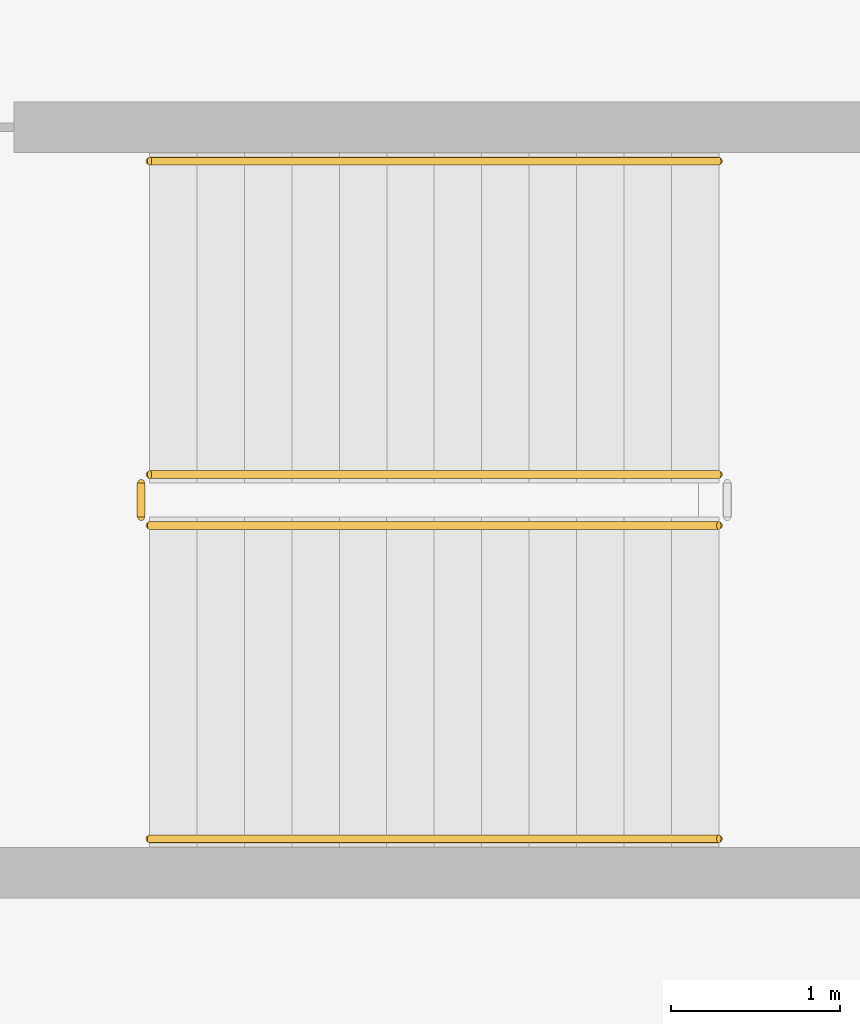
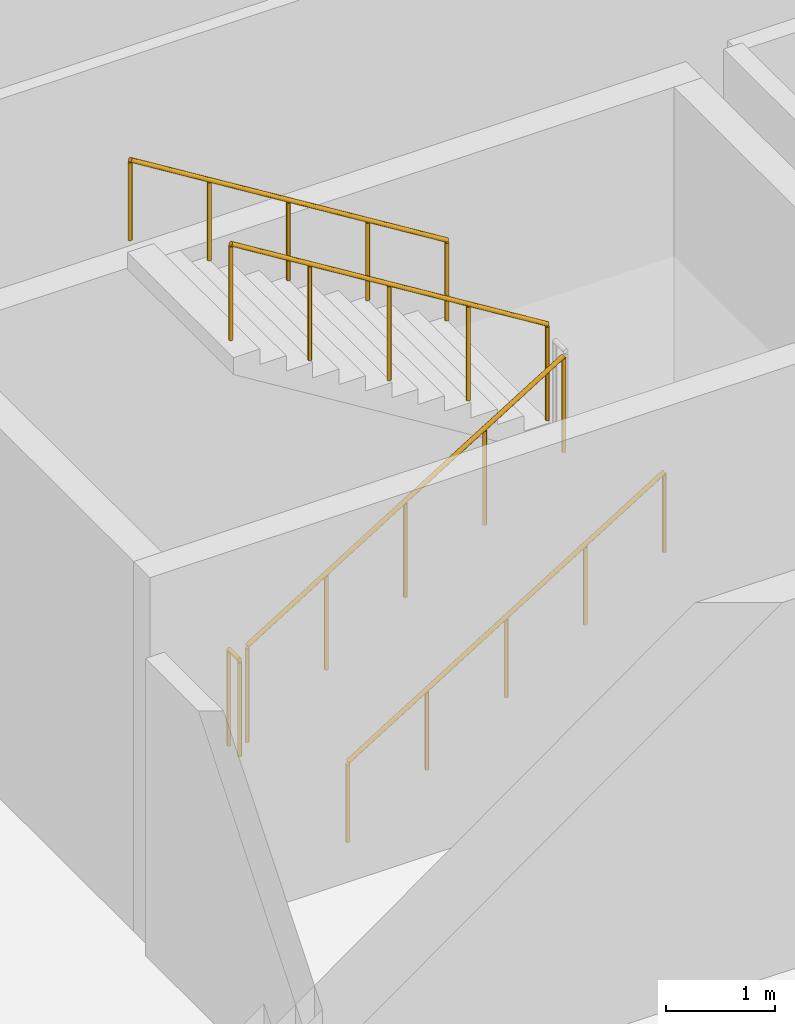
# One storey, part 28 of 36: 5 railings.
"""IFC4 building model written with IfcOpenShell, lengths in metres."""

from ifc_helpers import new_model, si_unit, direction, frame, origin, origin_2d, place, context, subcontext, project, spatial, circle, extrude, material, layer, layer_set, type_object, element, save


model = new_model("IFC4")

# Units and contexts
model_context = context("Model", 3, precision=1e-05, world=origin(), true_north=direction((0.0, 1.0)))
body_context = subcontext(model_context, "Body", "Model", "MODEL_VIEW")
ifc_project = project(units=[si_unit("LENGTHUNIT", "METRE"), si_unit("AREAUNIT", "SQUARE_METRE"), si_unit("VOLUMEUNIT", "CUBIC_METRE"), si_unit("PLANEANGLEUNIT", "RADIAN"), si_unit("MASSUNIT", "GRAM", prefix="KILO")], contexts=[model_context])

# Site, building, storey
site_placement = place(None, origin())
site = spatial("IfcSite", under=ifc_project, at=site_placement, CompositionType="ELEMENT")
building_placement = place(site_placement, origin())
building = spatial("IfcBuilding", under=site, at=building_placement, Name="Chiffa Square Polytechnic", CompositionType="ELEMENT")
storey_placement = place(building_placement, frame((0.0, 0.0, -4.5)))
storey = spatial("IfcBuildingStorey", under=building, at=storey_placement, Name="B1", CompositionType="ELEMENT", Elevation=-4.5)

# Railings
ifc_material = material(Name="Steel S355", Category="steel")
ifc_layer_1 = layer(ifc_material, 0.050048828125, Name="Steel S355")
ifc_layer_set_1 = layer_set([ifc_layer_1], Name="Steel S355")
railing_type_1 = type_object("IfcRailingType", Name="RL-STAIR-GUARD", PredefinedType="GUARDRAIL", material=ifc_layer_set_1)
railing_1_placement = place(storey_placement, frame((124.199951171875, 19.64990234375, 0.173095703125)))
element("IfcRailing", 1, at=railing_1_placement, inside=storey, type_object=railing_type_1, Name="B1 ST-V1A stair guard 1", PredefinedType="GUARDRAIL", context=body_context, shape_type="SweptSolid", body=[
    extrude(circle(Radius=0.02392578125, at=origin_2d()), frame((0.0, 0.0, 1.076171875), z_axis=(0.850623216509, 0.0, 0.525775754039), x_axis=(0.0, 1.0, 0.0)), (0.0, 0.0, 1.0), 3.9501953125),
    extrude(circle(Radius=0.02099609375, at=origin_2d()), origin(), (0.0, 0.0, 1.0), 1.052001953125),
    extrude(circle(Radius=0.02099609375, at=origin_2d()), frame((0.840087890625, 0.0, 0.519287109375)), (0.0, 0.0, 1.0), 1.052001953125),
    extrude(circle(Radius=0.02099609375, at=origin_2d()), frame((1.68017578125, 0.0, 1.03857421875)), (0.0, 0.0, 1.0), 1.052001953125),
    extrude(circle(Radius=0.02099609375, at=origin_2d()), frame((2.52001953125, 0.0, 1.5576171875)), (0.0, 0.0, 1.0), 1.052001953125),
    extrude(circle(Radius=0.02099609375, at=origin_2d()), frame((3.360107421875, 0.0, 2.076904296875)), (0.0, 0.0, 1.0), 1.052001953125),
])
railing_2_placement = place(storey_placement, frame((127.56005859375, 19.949951171875, 2.423095703125)))
element("IfcRailing", 2, at=railing_2_placement, inside=storey, type_object=railing_type_1, Name="B1 ST-V1A stair guard 3", PredefinedType="GUARDRAIL", context=body_context, shape_type="SweptSolid", body=[
    extrude(circle(Radius=0.02392578125, at=origin_2d()), frame((0.0, 0.0, 1.076171875), z_axis=(-0.850623216509, 0.0, 0.525775754039), x_axis=(0.0, -1.0, 0.0)), (0.0, 0.0, 1.0), 3.9501953125),
    extrude(circle(Radius=0.02099609375, at=origin_2d()), origin(), (0.0, 0.0, 1.0), 1.052001953125),
    extrude(circle(Radius=0.02099609375, at=origin_2d()), frame((-0.840087890625, 0.0, 0.519287109375)), (0.0, 0.0, 1.0), 1.052001953125),
    extrude(circle(Radius=0.02099609375, at=origin_2d()), frame((-1.68017578125, 0.0, 1.03857421875)), (0.0, 0.0, 1.0), 1.052001953125),
    extrude(circle(Radius=0.02099609375, at=origin_2d()), frame((-2.52001953125, 0.0, 1.5576171875)), (0.0, 0.0, 1.0), 1.052001953125),
    extrude(circle(Radius=0.02099609375, at=origin_2d()), frame((-3.360107421875, 0.0, 2.076904296875)), (0.0, 0.0, 1.0), 1.052001953125),
])
railing_3_placement = place(storey_placement, frame((124.14990234375, 19.699951171875, 0.0)))
element("IfcRailing", 3, at=railing_3_placement, inside=storey, type_object=railing_type_1, Name="B1 ST-V1A stair guard 4", PredefinedType="GUARDRAIL", context=body_context, shape_type="SweptSolid", body=[
    extrude(circle(Radius=0.02392578125, at=origin_2d()), frame((0.0, 0.0, 1.076171875), z_axis=(0.0, 1.0, 0.0), x_axis=(-1.0, 0.0, 0.0)), (0.0, 0.0, 1.0), 0.199951171875),
    extrude(circle(Radius=0.02099609375, at=origin_2d()), origin(), (0.0, 0.0, 1.0), 1.052001953125),
    extrude(circle(Radius=0.02099609375, at=origin_2d()), frame((0.0, 0.199951171875, 0.0)), (0.0, 0.0, 1.0), 1.052001953125),
])
ifc_layer_2 = layer(ifc_material, 0.044921875, Name="Steel S355")
ifc_layer_set_2 = layer_set([ifc_layer_2], Name="Steel S355")
railing_type_2 = type_object("IfcRailingType", Name="RL-STAIR-HAND", PredefinedType="HANDRAIL", material=ifc_layer_set_2)
railing_4_placement = place(storey_placement, frame((124.199951171875, 17.800048828125, 0.173095703125)))
element("IfcRailing", 4, at=railing_4_placement, inside=storey, type_object=railing_type_2, Name="B1 ST-V1A stair handrail 1", PredefinedType="HANDRAIL", context=body_context, shape_type="SweptSolid", body=[
    extrude(circle(Radius=0.02392578125, at=origin_2d()), frame((0.0, 0.0, 0.89599609375), z_axis=(0.850623216509, 0.0, 0.525775754039), x_axis=(0.0, 1.0, 0.0)), (0.0, 0.0, 1.0), 3.9501953125),
    extrude(circle(Radius=0.02099609375, at=origin_2d()), origin(), (0.0, 0.0, 1.0), 0.871826171875),
    extrude(circle(Radius=0.02099609375, at=origin_2d()), frame((0.840087890625, 0.0, 0.519287109375)), (0.0, 0.0, 1.0), 0.871826171875),
    extrude(circle(Radius=0.02099609375, at=origin_2d()), frame((1.68017578125, 0.0, 1.03857421875)), (0.0, 0.0, 1.0), 0.871826171875),
    extrude(circle(Radius=0.02099609375, at=origin_2d()), frame((2.52001953125, 0.0, 1.5576171875)), (0.0, 0.0, 1.0), 0.871826171875),
    extrude(circle(Radius=0.02099609375, at=origin_2d()), frame((3.360107421875, 0.0, 2.076904296875)), (0.0, 0.0, 1.0), 0.871826171875),
])
railing_5_placement = place(storey_placement, frame((127.56005859375, 21.800048828125, 2.423095703125)))
element("IfcRailing", 5, at=railing_5_placement, inside=storey, type_object=railing_type_2, Name="B1 ST-V1A stair handrail 2", PredefinedType="HANDRAIL", context=body_context, shape_type="SweptSolid", body=[
    extrude(circle(Radius=0.02392578125, at=origin_2d()), frame((0.0, 0.0, 0.89599609375), z_axis=(-0.850623216509, 0.0, 0.525775754039), x_axis=(0.0, -1.0, 0.0)), (0.0, 0.0, 1.0), 3.9501953125),
    extrude(circle(Radius=0.02099609375, at=origin_2d()), origin(), (0.0, 0.0, 1.0), 0.871826171875),
    extrude(circle(Radius=0.02099609375, at=origin_2d()), frame((-0.840087890625, 0.0, 0.519287109375)), (0.0, 0.0, 1.0), 0.871826171875),
    extrude(circle(Radius=0.02099609375, at=origin_2d()), frame((-1.68017578125, 0.0, 1.03857421875)), (0.0, 0.0, 1.0), 0.871826171875),
    extrude(circle(Radius=0.02099609375, at=origin_2d()), frame((-2.52001953125, 0.0, 1.5576171875)), (0.0, 0.0, 1.0), 0.871826171875),
    extrude(circle(Radius=0.02099609375, at=origin_2d()), frame((-3.360107421875, 0.0, 2.076904296875)), (0.0, 0.0, 1.0), 0.871826171875),
])

save(model, "model.ifc")
